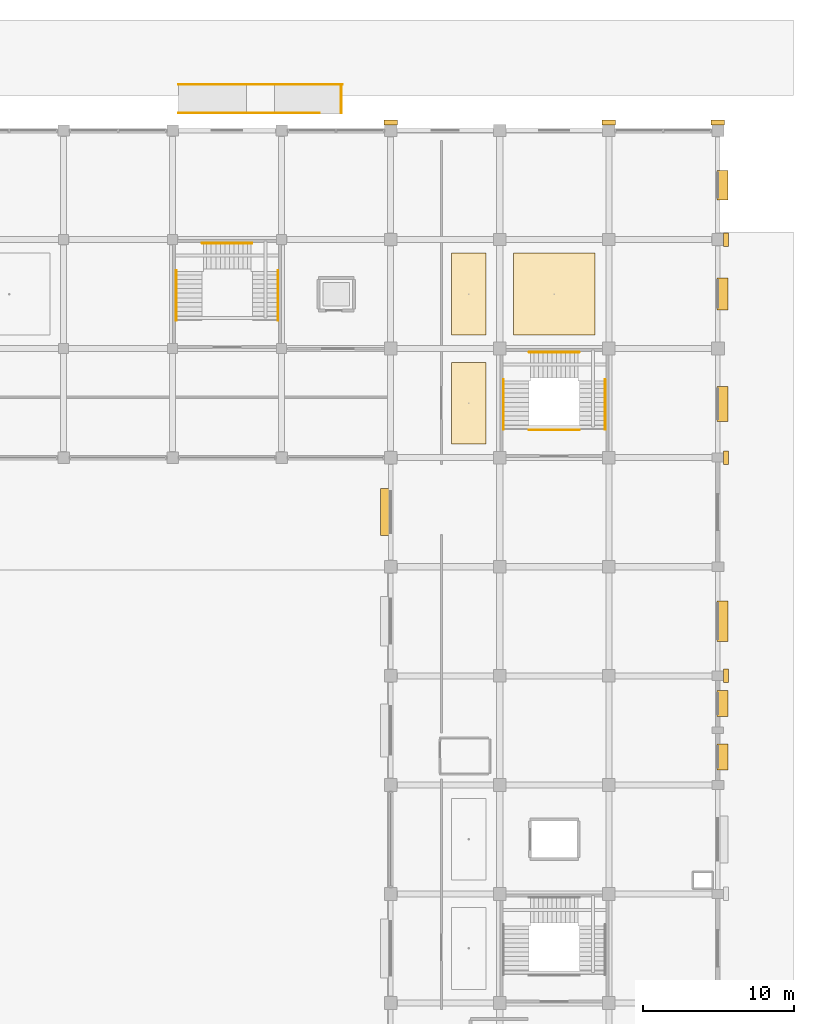
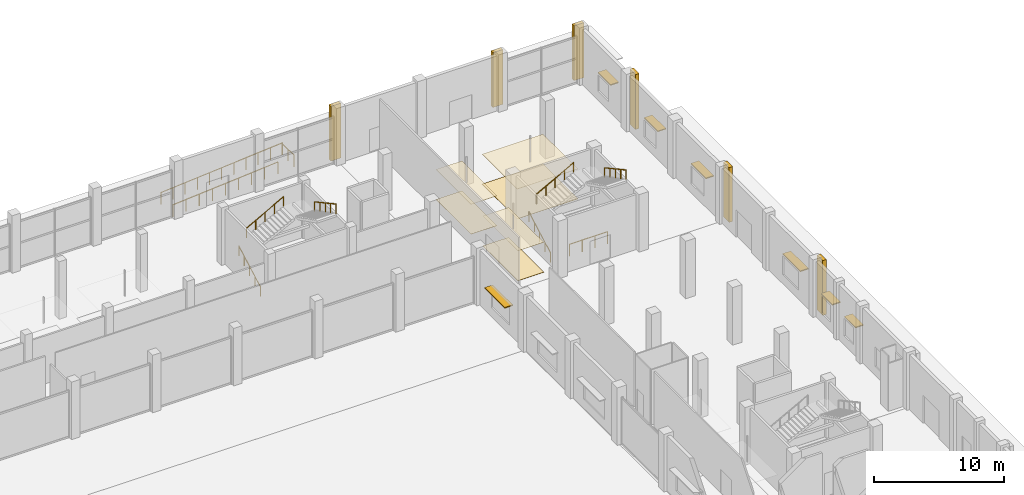
# One storey, part 89 of 90: 12 coverings, 10 railings, 7 shading devices.
"""IFC4 building model written with IfcOpenShell, lengths in metres."""

from ifc_helpers import new_model, si_unit, direction, frame, origin, origin_2d, place, context, subcontext, project, spatial, polyline, rectangle, circle, outline, extrude, material, layer, layer_set, type_object, element, save


model = new_model("IFC4")

# Units and contexts
model_context = context("Model", 3, precision=1e-05, world=origin(), true_north=direction((0.0, 1.0)))
body_context = subcontext(model_context, "Body", "Model", "MODEL_VIEW")
ifc_project = project(units=[si_unit("LENGTHUNIT", "METRE"), si_unit("AREAUNIT", "SQUARE_METRE"), si_unit("VOLUMEUNIT", "CUBIC_METRE"), si_unit("PLANEANGLEUNIT", "RADIAN"), si_unit("MASSUNIT", "GRAM", prefix="KILO")], contexts=[model_context])

# Site, building, storey
site_placement = place(None, origin())
site = spatial("IfcSite", under=ifc_project, at=site_placement, CompositionType="ELEMENT")
building_placement = place(site_placement, origin())
building = spatial("IfcBuilding", under=site, at=building_placement, Name="Kangsadwip Square Police Headquarters", CompositionType="ELEMENT")
storey_placement = place(building_placement, origin())
storey = spatial("IfcBuildingStorey", under=building, at=storey_placement, Name="L00", CompositionType="ELEMENT", Elevation=0.0)

# Railings
ifc_material_1 = material(Name="Structural steel IS 2062 E250 (Grade 250, 250 MPa)", Category="steel")
railing_type_1 = type_object("IfcRailingType", Name="BalustradeGuard1100", PredefinedType="BALUSTRADE", material=ifc_material_1)
railing_1_placement = place(storey_placement, frame((130.0, 116.360107421875, -0.89990234375)))
element("IfcRailing", 1, at=railing_1_placement, inside=storey, type_object=railing_type_1, Name="Accessible Ramp Guard AR-05-35", PredefinedType="BALUSTRADE", context=body_context, shape_type="SweptSolid", body=[
    extrude(circle(Radius=0.02392578125, at=origin_2d()), frame((0.0, 0.0, 1.09619140625), z_axis=(0.99672403335, 0.0, 0.080877693725), x_axis=(0.0, 1.0, 0.0)), (0.0, 0.0, 1.0), 9.33056640625),
    extrude(circle(Radius=0.02099609375, at=origin_2d()), origin(), (0.0, 0.0, 1.0), 1.072021484375),
    extrude(circle(Radius=0.02099609375, at=origin_2d()), frame((1.16259765625, 0.0, 0.09423828125)), (0.0, 0.0, 1.0), 1.072021484375),
    extrude(circle(Radius=0.02099609375, at=origin_2d()), frame((2.324951171875, 0.0, 0.188720703125)), (0.0, 0.0, 1.0), 1.072021484375),
    extrude(circle(Radius=0.02099609375, at=origin_2d()), frame((3.487548828125, 0.0, 0.282958984375)), (0.0, 0.0, 1.0), 1.072021484375),
    extrude(circle(Radius=0.02099609375, at=origin_2d()), frame((4.64990234375, 0.0, 0.37744140625)), (0.0, 0.0, 1.0), 1.072021484375),
    extrude(circle(Radius=0.02099609375, at=origin_2d()), frame((5.8125, 0.0, 0.4716796875)), (0.0, 0.0, 1.0), 1.072021484375),
    extrude(circle(Radius=0.02099609375, at=origin_2d()), frame((6.97509765625, 0.0, 0.56591796875)), (0.0, 0.0, 1.0), 1.072021484375),
    extrude(circle(Radius=0.02099609375, at=origin_2d()), frame((8.137451171875, 0.0, 0.660400390625)), (0.0, 0.0, 1.0), 1.072021484375),
    extrude(circle(Radius=0.02099609375, at=origin_2d()), frame((9.300048828125, 0.0, 0.754638671875)), (0.0, 0.0, 1.0), 1.072021484375),
])
railing_2_placement = place(storey_placement, frame((130.0, 118.239990234375, -0.89990234375)))
element("IfcRailing", 2, at=railing_2_placement, inside=storey, type_object=railing_type_1, Name="Accessible Ramp Guard AR-05-36", PredefinedType="BALUSTRADE", context=body_context, shape_type="SweptSolid", body=[
    extrude(circle(Radius=0.02392578125, at=origin_2d()), frame((0.0, 0.0, 1.09619140625), z_axis=(0.99654653501, 0.0, 0.083036158149), x_axis=(0.0, 1.0, 0.0)), (0.0, 0.0, 1.0), 10.83740234375),
    extrude(circle(Radius=0.02099609375, at=origin_2d()), origin(), (0.0, 0.0, 1.0), 1.072021484375),
    extrude(circle(Radius=0.02099609375, at=origin_2d()), frame((1.080078125, 0.0, 0.090087890625)), (0.0, 0.0, 1.0), 1.072021484375),
    extrude(circle(Radius=0.02099609375, at=origin_2d()), frame((2.159912109375, 0.0, 0.179931640625)), (0.0, 0.0, 1.0), 1.072021484375),
    extrude(circle(Radius=0.02099609375, at=origin_2d()), frame((3.239990234375, 0.0, 0.27001953125)), (0.0, 0.0, 1.0), 1.072021484375),
    extrude(circle(Radius=0.02099609375, at=origin_2d()), frame((4.320068359375, 0.0, 0.35986328125)), (0.0, 0.0, 1.0), 1.072021484375),
    extrude(circle(Radius=0.02099609375, at=origin_2d()), frame((5.39990234375, 0.0, 0.449951171875)), (0.0, 0.0, 1.0), 1.072021484375),
    extrude(circle(Radius=0.02099609375, at=origin_2d()), frame((6.47998046875, 0.0, 0.5400390625)), (0.0, 0.0, 1.0), 1.072021484375),
    extrude(circle(Radius=0.02099609375, at=origin_2d()), frame((7.56005859375, 0.0, 0.6298828125)), (0.0, 0.0, 1.0), 1.072021484375),
    extrude(circle(Radius=0.02099609375, at=origin_2d()), frame((8.64013671875, 0.0, 0.719970703125)), (0.0, 0.0, 1.0), 1.072021484375),
    extrude(circle(Radius=0.02099609375, at=origin_2d()), frame((9.719970703125, 0.0, 0.809814453125)), (0.0, 0.0, 1.0), 1.072021484375),
    extrude(circle(Radius=0.02099609375, at=origin_2d()), frame((10.800048828125, 0.0, 0.89990234375)), (0.0, 0.0, 1.0), 1.072021484375),
])
railing_3_placement = place(storey_placement, frame((140.739990234375, 116.360107421875, 0.0)))
element("IfcRailing", 3, at=railing_3_placement, inside=storey, type_object=railing_type_1, Name="Accessible Ramp End Guard AR-05-37", PredefinedType="BALUSTRADE", context=body_context, shape_type="SweptSolid", body=[
    extrude(circle(Radius=0.02392578125, at=origin_2d()), frame((0.0, 0.0, 1.09619140625), z_axis=(0.0, 1.0, 0.0), x_axis=(-1.0, 0.0, 0.0)), (0.0, 0.0, 1.0), 1.8798828125),
    extrude(circle(Radius=0.02099609375, at=origin_2d()), origin(), (0.0, 0.0, 1.0), 1.072021484375),
    extrude(circle(Radius=0.02099609375, at=origin_2d()), frame((0.0, 0.93994140625, 0.0)), (0.0, 0.0, 1.0), 1.072021484375),
    extrude(circle(Radius=0.02099609375, at=origin_2d()), frame((0.0, 1.8798828125, 0.0)), (0.0, 0.0, 1.0), 1.072021484375),
])
railing_4_placement = place(storey_placement, frame((153.1298828125, 95.419921875, 0.0)))
element("IfcRailing", 4, at=railing_4_placement, inside=storey, type_object=railing_type_1, Name="Stair Guard ST-04 L00-106", PredefinedType="BALUSTRADE", context=body_context, shape_type="SweptSolid", body=[
    extrude(circle(Radius=0.02392578125, at=origin_2d()), frame((0.0, 0.0, 1.09619140625), z_axis=(1.0, 0.0, 0.0), x_axis=(0.0, 1.0, 0.0)), (0.0, 0.0, 1.0), 3.340087890625),
    extrude(circle(Radius=0.02099609375, at=origin_2d()), origin(), (0.0, 0.0, 1.0), 1.072021484375),
    extrude(circle(Radius=0.02099609375, at=origin_2d()), frame((1.11328125, 0.0, 0.0)), (0.0, 0.0, 1.0), 1.072021484375),
    extrude(circle(Radius=0.02099609375, at=origin_2d()), frame((2.226806640625, 0.0, 0.0)), (0.0, 0.0, 1.0), 1.072021484375),
    extrude(circle(Radius=0.02099609375, at=origin_2d()), frame((3.340087890625, 0.0, 0.0)), (0.0, 0.0, 1.0), 1.072021484375),
])

# Coverings
ifc_material_2 = material(Name="Seamless anti-static epoxy and polished Kota stone interior flooring", Category="masonry")
ifc_layer_1 = layer(ifc_material_2, 0.02001953125)
ifc_layer_set_1 = layer_set([ifc_layer_1], Name="Seamless anti-static epoxy and polished Kota stone interior flooring")
covering_type_1 = type_object("IfcCoveringType", Name="InteriorStoneEpoxyFloor", PredefinedType="FLOORING", material=ifc_layer_set_1)
covering_1_placement = place(storey_placement, origin())
element("IfcCovering", 5, at=covering_1_placement, inside=storey, type_object=covering_type_1, Name="Interior Floor Finish L00-021", PredefinedType="FLOORING", context=body_context, shape_type="SweptSolid", body=[
    extrude(outline(polyline([(148.0, 94.5), (150.300048828125, 94.5), (150.300048828125, 99.89990234375), (148.0, 99.89990234375), (148.0, 94.5)])), origin(), (0.0, 0.0, 1.0), 0.02001953125),
])
covering_2_placement = place(storey_placement, origin())
element("IfcCovering", 6, at=covering_2_placement, inside=storey, type_object=covering_type_1, Name="Interior Floor Finish L00-022", PredefinedType="FLOORING", context=body_context, shape_type="SweptSolid", body=[
    extrude(outline(polyline([(148.0, 101.699951171875), (150.300048828125, 101.699951171875), (150.300048828125, 107.10009765625), (148.0, 107.10009765625), (148.0, 101.699951171875)])), origin(), (0.0, 0.0, 1.0), 0.02001953125),
])
covering_3_placement = place(storey_placement, origin())
element("IfcCovering", 7, at=covering_3_placement, inside=storey, type_object=covering_type_1, Name="Interior Floor Finish L00-023", PredefinedType="FLOORING", context=body_context, shape_type="SweptSolid", body=[
    extrude(outline(polyline([(152.10009765625, 101.699951171875), (157.5, 101.699951171875), (157.5, 107.10009765625), (152.10009765625, 107.10009765625), (152.10009765625, 101.699951171875)])), origin(), (0.0, 0.0, 1.0), 0.02001953125),
])

# Railings
ifc_material_3 = material(Name="Structural steel IS 2062 E250 (Grade 250, 250 MPa)", Category="steel")
railing_type_2 = type_object("IfcRailingType", Name="StairPitchHandrail900", PredefinedType="HANDRAIL", material=ifc_material_3)
railing_5_placement = place(storey_placement, frame((151.43994140625, 95.4599609375, 0.0)))
element("IfcRailing", 8, at=railing_5_placement, inside=storey, type_object=railing_type_2, Name="Stair Handrail ST-04 L00-107", PredefinedType="HANDRAIL", context=body_context, shape_type="SweptSolid", body=[
    extrude(circle(Radius=0.02392578125, at=origin_2d()), frame((0.0, 0.0, 0.8759765625), z_axis=(0.0, 0.877893090839, 0.478856681124), x_axis=(-1.0, 0.0, 0.0)), (0.0, 0.0, 1.0), 3.759033203125),
    extrude(circle(Radius=0.02099609375, at=origin_2d()), origin(), (0.0, 0.0, 1.0), 0.851806640625),
    extrude(circle(Radius=0.02099609375, at=origin_2d()), frame((0.0, 0.824951171875, 0.449951171875)), (0.0, 0.0, 1.0), 0.851806640625),
    extrude(circle(Radius=0.02099609375, at=origin_2d()), frame((0.0, 1.64990234375, 0.89990234375)), (0.0, 0.0, 1.0), 0.851806640625),
    extrude(circle(Radius=0.02099609375, at=origin_2d()), frame((0.0, 2.47509765625, 1.35009765625)), (0.0, 0.0, 1.0), 0.851806640625),
    extrude(circle(Radius=0.02099609375, at=origin_2d()), frame((0.0, 3.300048828125, 1.800048828125)), (0.0, 0.0, 1.0), 0.851806640625),
])
railing_6_placement = place(storey_placement, frame((153.14990234375, 100.56005859375, 1.800048828125)))
element("IfcRailing", 9, at=railing_6_placement, inside=storey, type_object=railing_type_2, Name="Stair Handrail ST-04 L00-108", PredefinedType="HANDRAIL", context=body_context, shape_type="SweptSolid", body=[
    extrude(circle(Radius=0.02392578125, at=origin_2d()), frame((0.0, 0.0, 0.8759765625), z_axis=(0.877893090839, 0.0, 0.478856681124), x_axis=(0.0, 1.0, 0.0)), (0.0, 0.0, 1.0), 3.759033203125),
    extrude(circle(Radius=0.02099609375, at=origin_2d()), origin(), (0.0, 0.0, 1.0), 0.851806640625),
    extrude(circle(Radius=0.02099609375, at=origin_2d()), frame((0.824951171875, 0.0, 0.449951171875)), (0.0, 0.0, 1.0), 0.851806640625),
    extrude(circle(Radius=0.02099609375, at=origin_2d()), frame((1.64990234375, 0.0, 0.89990234375)), (0.0, 0.0, 1.0), 0.851806640625),
    extrude(circle(Radius=0.02099609375, at=origin_2d()), frame((2.47509765625, 0.0, 1.35009765625)), (0.0, 0.0, 1.0), 0.851806640625),
    extrude(circle(Radius=0.02099609375, at=origin_2d()), frame((3.300048828125, 0.0, 1.800048828125)), (0.0, 0.0, 1.0), 0.851806640625),
])
railing_7_placement = place(storey_placement, frame((158.159912109375, 98.760009765625, 3.60009765625)))
element("IfcRailing", 10, at=railing_7_placement, inside=storey, type_object=railing_type_2, Name="Stair Handrail ST-04 L00-109", PredefinedType="HANDRAIL", context=body_context, shape_type="SweptSolid", body=[
    extrude(circle(Radius=0.02392578125, at=origin_2d()), frame((0.0, 0.0, 0.8759765625), z_axis=(0.0, -0.877920393143, 0.478806624122), x_axis=(1.0, 0.0, 0.0)), (0.0, 0.0, 1.0), 3.759033203125),
    extrude(circle(Radius=0.02099609375, at=origin_2d()), origin(), (0.0, 0.0, 1.0), 0.851806640625),
    extrude(circle(Radius=0.02099609375, at=origin_2d()), frame((0.0, -0.824951171875, 0.449951171875)), (0.0, 0.0, 1.0), 0.851806640625),
    extrude(circle(Radius=0.02099609375, at=origin_2d()), frame((0.0, -1.64990234375, 0.89990234375)), (0.0, 0.0, 1.0), 0.851806640625),
    extrude(circle(Radius=0.02099609375, at=origin_2d()), frame((0.0, -2.47509765625, 1.349853515625)), (0.0, 0.0, 1.0), 0.851806640625),
    extrude(circle(Radius=0.02099609375, at=origin_2d()), frame((0.0, -3.300048828125, 1.7998046875)), (0.0, 0.0, 1.0), 0.851806640625),
])
railing_8_placement = place(storey_placement, frame((129.840087890625, 102.659912109375, 0.0)))
element("IfcRailing", 11, at=railing_8_placement, inside=storey, type_object=railing_type_2, Name="Stair Handrail ST-05 L00-127", PredefinedType="HANDRAIL", context=body_context, shape_type="SweptSolid", body=[
    extrude(circle(Radius=0.02392578125, at=origin_2d()), frame((0.0, 0.0, 0.8759765625), z_axis=(0.0, 0.877893090839, 0.478856681124), x_axis=(-1.0, 0.0, 0.0)), (0.0, 0.0, 1.0), 3.759033203125),
    extrude(circle(Radius=0.02099609375, at=origin_2d()), origin(), (0.0, 0.0, 1.0), 0.851806640625),
    extrude(circle(Radius=0.02099609375, at=origin_2d()), frame((0.0, 0.824951171875, 0.449951171875)), (0.0, 0.0, 1.0), 0.851806640625),
    extrude(circle(Radius=0.02099609375, at=origin_2d()), frame((0.0, 1.64990234375, 0.89990234375)), (0.0, 0.0, 1.0), 0.851806640625),
    extrude(circle(Radius=0.02099609375, at=origin_2d()), frame((0.0, 2.47509765625, 1.35009765625)), (0.0, 0.0, 1.0), 0.851806640625),
    extrude(circle(Radius=0.02099609375, at=origin_2d()), frame((0.0, 3.300048828125, 1.800048828125)), (0.0, 0.0, 1.0), 0.851806640625),
])
railing_9_placement = place(storey_placement, frame((131.550048828125, 107.760009765625, 1.800048828125)))
element("IfcRailing", 12, at=railing_9_placement, inside=storey, type_object=railing_type_2, Name="Stair Handrail ST-05 L00-128", PredefinedType="HANDRAIL", context=body_context, shape_type="SweptSolid", body=[
    extrude(circle(Radius=0.02392578125, at=origin_2d()), frame((0.0, 0.0, 0.8759765625), z_axis=(0.877893090839, 0.0, 0.478856681124), x_axis=(0.0, 1.0, 0.0)), (0.0, 0.0, 1.0), 3.759033203125),
    extrude(circle(Radius=0.02099609375, at=origin_2d()), origin(), (0.0, 0.0, 1.0), 0.851806640625),
    extrude(circle(Radius=0.02099609375, at=origin_2d()), frame((0.824951171875, 0.0, 0.449951171875)), (0.0, 0.0, 1.0), 0.851806640625),
    extrude(circle(Radius=0.02099609375, at=origin_2d()), frame((1.64990234375, 0.0, 0.89990234375)), (0.0, 0.0, 1.0), 0.851806640625),
    extrude(circle(Radius=0.02099609375, at=origin_2d()), frame((2.47509765625, 0.0, 1.35009765625)), (0.0, 0.0, 1.0), 0.851806640625),
    extrude(circle(Radius=0.02099609375, at=origin_2d()), frame((3.300048828125, 0.0, 1.800048828125)), (0.0, 0.0, 1.0), 0.851806640625),
])
railing_10_placement = place(storey_placement, frame((136.56005859375, 105.9599609375, 3.60009765625)))
element("IfcRailing", 13, at=railing_10_placement, inside=storey, type_object=railing_type_2, Name="Stair Handrail ST-05 L00-129", PredefinedType="HANDRAIL", context=body_context, shape_type="SweptSolid", body=[
    extrude(circle(Radius=0.02392578125, at=origin_2d()), frame((0.0, 0.0, 0.8759765625), z_axis=(0.0, -0.877920393143, 0.478806624122), x_axis=(1.0, 0.0, 0.0)), (0.0, 0.0, 1.0), 3.759033203125),
    extrude(circle(Radius=0.02099609375, at=origin_2d()), origin(), (0.0, 0.0, 1.0), 0.851806640625),
    extrude(circle(Radius=0.02099609375, at=origin_2d()), frame((0.0, -0.824951171875, 0.449951171875)), (0.0, 0.0, 1.0), 0.851806640625),
    extrude(circle(Radius=0.02099609375, at=origin_2d()), frame((0.0, -1.64990234375, 0.89990234375)), (0.0, 0.0, 1.0), 0.851806640625),
    extrude(circle(Radius=0.02099609375, at=origin_2d()), frame((0.0, -2.47509765625, 1.349853515625)), (0.0, 0.0, 1.0), 0.851806640625),
    extrude(circle(Radius=0.02099609375, at=origin_2d()), frame((0.0, -3.300048828125, 1.7998046875)), (0.0, 0.0, 1.0), 0.851806640625),
])

# Coverings
ifc_material_4 = material(Name="Perforated mineral-fibre and acoustic baffle suspended ceiling", Category="wood")
ifc_layer_2 = layer(ifc_material_4, 0.02490234375)
ifc_layer_set_2 = layer_set([ifc_layer_2], Name="Perforated mineral-fibre and acoustic baffle suspended ceiling")
covering_type_2 = type_object("IfcCoveringType", Name="SuspendedAcousticCeiling", PredefinedType="CEILING", material=ifc_layer_set_2)
covering_4_placement = place(storey_placement, frame((0.0, 0.0, 2.800048828125)))
element("IfcCovering", 14, at=covering_4_placement, inside=storey, type_object=covering_type_2, Name="Suspended Acoustic Ceiling L00-021", PredefinedType="CEILING", context=body_context, shape_type="SweptSolid", body=[
    extrude(outline(polyline([(148.0, 94.5), (150.300048828125, 94.5), (150.300048828125, 99.89990234375), (148.0, 99.89990234375), (148.0, 94.5)])), origin(), (0.0, 0.0, 1.0), 0.02490234375),
])
covering_5_placement = place(storey_placement, frame((0.0, 0.0, 2.800048828125)))
element("IfcCovering", 15, at=covering_5_placement, inside=storey, type_object=covering_type_2, Name="Suspended Acoustic Ceiling L00-022", PredefinedType="CEILING", context=body_context, shape_type="SweptSolid", body=[
    extrude(outline(polyline([(148.0, 101.699951171875), (150.300048828125, 101.699951171875), (150.300048828125, 107.10009765625), (148.0, 107.10009765625), (148.0, 101.699951171875)])), origin(), (0.0, 0.0, 1.0), 0.02490234375),
])
covering_6_placement = place(storey_placement, frame((0.0, 0.0, 2.800048828125)))
element("IfcCovering", 16, at=covering_6_placement, inside=storey, type_object=covering_type_2, Name="Suspended Acoustic Ceiling L00-023", PredefinedType="CEILING", context=body_context, shape_type="SweptSolid", body=[
    extrude(outline(polyline([(152.10009765625, 101.699951171875), (157.5, 101.699951171875), (157.5, 107.10009765625), (152.10009765625, 107.10009765625), (152.10009765625, 101.699951171875)])), origin(), (0.0, 0.0, 1.0), 0.02490234375),
])
ifc_material_5 = material(Name="Glazed architectural terracotta masonry rainscreen", Category="masonry")
ifc_layer_3 = layer(ifc_material_5, 0.034912109375)
ifc_layer_set_3 = layer_set([ifc_layer_3], Name="Glazed architectural terracotta masonry rainscreen")
covering_type_3 = type_object("IfcCoveringType", Name="TerracottaPierCladding", PredefinedType="CLADDING", material=ifc_layer_set_3)
covering_7_placement = place(storey_placement, origin())
element("IfcCovering", 17, at=covering_7_placement, inside=storey, type_object=covering_type_3, Name="Terracotta Pier Cladding L00-014", PredefinedType="CLADDING", context=body_context, shape_type="SweptSolid", body=[
    extrude(outline(polyline([(165.97998046875, 78.760009765625), (166.300048828125, 78.760009765625), (166.300048828125, 79.639892578125), (165.97998046875, 79.639892578125), (165.97998046875, 78.760009765625)])), origin(), (0.0, 0.0, 1.0), 5.14990234375),
])
covering_8_placement = place(storey_placement, origin())
element("IfcCovering", 18, at=covering_8_placement, inside=storey, type_object=covering_type_3, Name="Terracotta Pier Cladding L00-015", PredefinedType="CLADDING", context=body_context, shape_type="SweptSolid", body=[
    extrude(outline(polyline([(165.97998046875, 93.159912109375), (166.300048828125, 93.159912109375), (166.300048828125, 94.0400390625), (165.97998046875, 94.0400390625), (165.97998046875, 93.159912109375)])), origin(), (0.0, 0.0, 1.0), 5.14990234375),
])
covering_9_placement = place(storey_placement, origin())
element("IfcCovering", 19, at=covering_9_placement, inside=storey, type_object=covering_type_3, Name="Terracotta Pier Cladding L00-016", PredefinedType="CLADDING", context=body_context, shape_type="SweptSolid", body=[
    extrude(outline(polyline([(165.97998046875, 107.56005859375), (166.300048828125, 107.56005859375), (166.300048828125, 108.43994140625), (165.97998046875, 108.43994140625), (165.97998046875, 107.56005859375)])), origin(), (0.0, 0.0, 1.0), 5.14990234375),
])
covering_10_placement = place(storey_placement, origin())
element("IfcCovering", 20, at=covering_10_placement, inside=storey, type_object=covering_type_3, Name="Terracotta Pier Cladding L00-020", PredefinedType="CLADDING", context=body_context, shape_type="SweptSolid", body=[
    extrude(outline(polyline([(143.56005859375, 115.580078125), (144.43994140625, 115.580078125), (144.43994140625, 115.89990234375), (143.56005859375, 115.89990234375), (143.56005859375, 115.580078125)])), origin(), (0.0, 0.0, 1.0), 5.14990234375),
])
covering_11_placement = place(storey_placement, origin())
element("IfcCovering", 21, at=covering_11_placement, inside=storey, type_object=covering_type_3, Name="Terracotta Pier Cladding L00-021", PredefinedType="CLADDING", context=body_context, shape_type="SweptSolid", body=[
    extrude(outline(polyline([(157.9599609375, 115.580078125), (158.840087890625, 115.580078125), (158.840087890625, 115.89990234375), (157.9599609375, 115.89990234375), (157.9599609375, 115.580078125)])), origin(), (0.0, 0.0, 1.0), 5.14990234375),
])
covering_12_placement = place(storey_placement, origin())
element("IfcCovering", 22, at=covering_12_placement, inside=storey, type_object=covering_type_3, Name="Terracotta Pier Cladding L00-022", PredefinedType="CLADDING", context=body_context, shape_type="SweptSolid", body=[
    extrude(outline(polyline([(165.159912109375, 115.580078125), (166.0400390625, 115.580078125), (166.0400390625, 115.89990234375), (165.159912109375, 115.89990234375), (165.159912109375, 115.580078125)])), origin(), (0.0, 0.0, 1.0), 5.14990234375),
])

# Shading devices
ifc_material_6 = material(Name="Architectural terracotta and anodised aluminium AW-6061-T6", Category="aluminium")
shading_device_type = type_object("IfcShadingDeviceType", Name="TerracottaChhajjaAwning", PredefinedType="AWNING", material=ifc_material_6)
shading_device_1_placement = place(storey_placement, frame((143.699951171875, 90.0, 2.71484375), z_axis=(0.0, 0.0, 1.0), x_axis=(0.0, 1.0, 0.0)))
element("IfcShadingDevice", 23, at=shading_device_1_placement, inside=storey, type_object=shading_device_type, Name="Terracotta Chhajja Hood CHJ-L00-0037", PredefinedType="AWNING", context=body_context, shape_type="SweptSolid", body=[
    extrude(rectangle(XDim=3.10009765625, YDim=0.719970703125, at=origin_2d()), origin(), (0.0, 0.0, 1.0), 0.090087890625),
])
for number, where, z_axis, x_axis, name in (
    (24, (165.89990234375, 73.83740234375, 2.46484375), (0.0, 0.0, 1.0), (0.0, 1.0, 0.0), "Terracotta Chhajja Hood CHJ-L00-0043"),
    (25, (165.89990234375, 77.362548828125, 2.46484375), (0.0, 0.0, 1.0), (0.0, 1.0, 0.0), "Terracotta Chhajja Hood CHJ-L00-0044"),
):
    element("IfcShadingDevice", number, at=place(storey_placement, frame(where, z_axis=z_axis, x_axis=x_axis)), inside=storey, type_object=shading_device_type, Name=name, PredefinedType="AWNING", context=body_context, shape_type="SweptSolid", body=[
        extrude(rectangle(XDim=1.699951171875, YDim=0.719970703125, at=origin_2d()), origin(), (0.0, 0.0, 1.0), 0.090087890625),
    ])
shading_device_2_placement = place(storey_placement, frame((165.89990234375, 82.800048828125, 2.61474609375), z_axis=(0.0, 0.0, 1.0), x_axis=(0.0, 1.0, 0.0)))
element("IfcShadingDevice", 26, at=shading_device_2_placement, inside=storey, type_object=shading_device_type, Name="Terracotta Chhajja Hood CHJ-L00-0045", PredefinedType="AWNING", context=body_context, shape_type="SweptSolid", body=[
    extrude(rectangle(XDim=2.699951171875, YDim=0.719970703125, at=origin_2d()), origin(), (0.0, 0.0, 1.0), 0.090087890625),
])
shading_device_3_placement = place(storey_placement, frame((165.89990234375, 97.137451171875, 2.51513671875), z_axis=(0.0, 0.0, 1.0), x_axis=(0.0, 1.0, 0.0)))
element("IfcShadingDevice", 27, at=shading_device_3_placement, inside=storey, type_object=shading_device_type, Name="Terracotta Chhajja Hood CHJ-L00-0046", PredefinedType="AWNING", context=body_context, shape_type="SweptSolid", body=[
    extrude(rectangle(XDim=2.300048828125, YDim=0.719970703125, at=origin_2d()), origin(), (0.0, 0.0, 1.0), 0.090087890625),
])
shading_device_4_placement = place(storey_placement, frame((165.89990234375, 104.41259765625, 2.46484375), z_axis=(0.0, 0.0, 1.0), x_axis=(0.0, 1.0, 0.0)))
element("IfcShadingDevice", 28, at=shading_device_4_placement, inside=storey, type_object=shading_device_type, Name="Terracotta Chhajja Hood CHJ-L00-0047", PredefinedType="AWNING", context=body_context, shape_type="SweptSolid", body=[
    extrude(rectangle(XDim=2.10009765625, YDim=0.719970703125, at=origin_2d()), origin(), (0.0, 0.0, 1.0), 0.090087890625),
])
shading_device_5_placement = place(storey_placement, frame((165.89990234375, 111.60009765625, 2.4150390625), z_axis=(0.0, 0.0, 1.0), x_axis=(0.0, 1.0, 0.0)))
element("IfcShadingDevice", 29, at=shading_device_5_placement, inside=storey, type_object=shading_device_type, Name="Terracotta Chhajja Hood CHJ-L00-0048", PredefinedType="AWNING", context=body_context, shape_type="SweptSolid", body=[
    extrude(rectangle(XDim=1.949951171875, YDim=0.719970703125, at=origin_2d()), origin(), (0.0, 0.0, 1.0), 0.090087890625),
])

save(model, "model.ifc")
